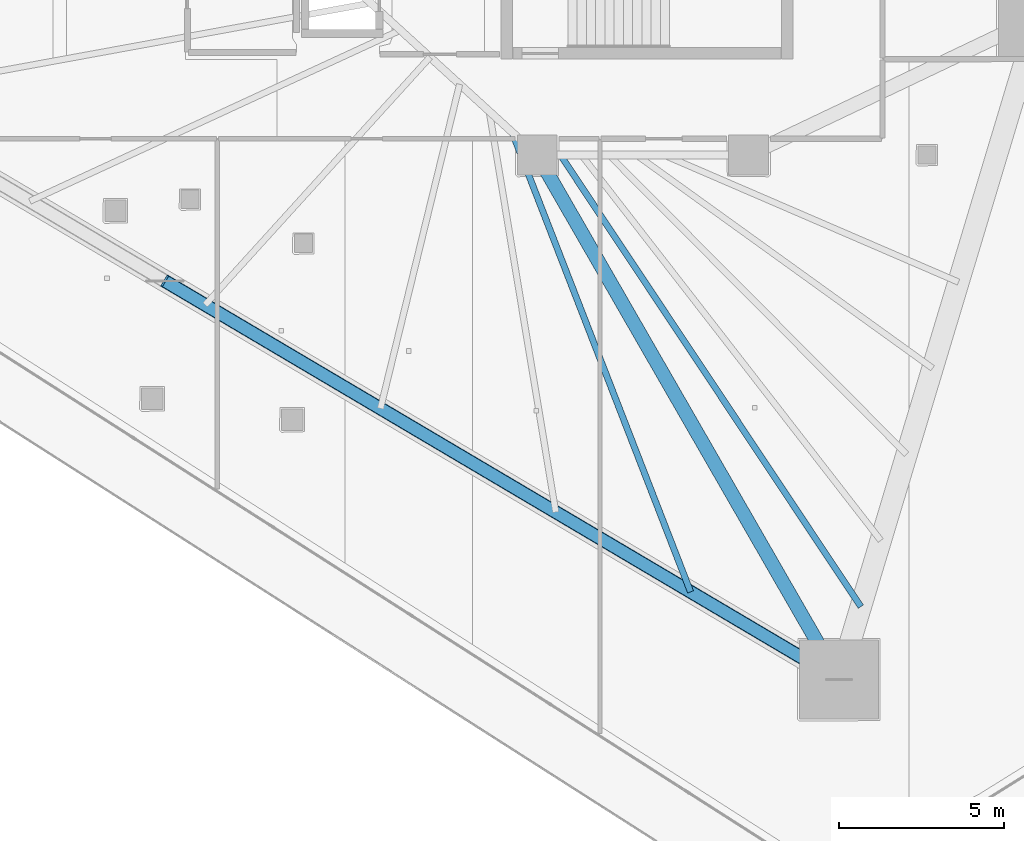
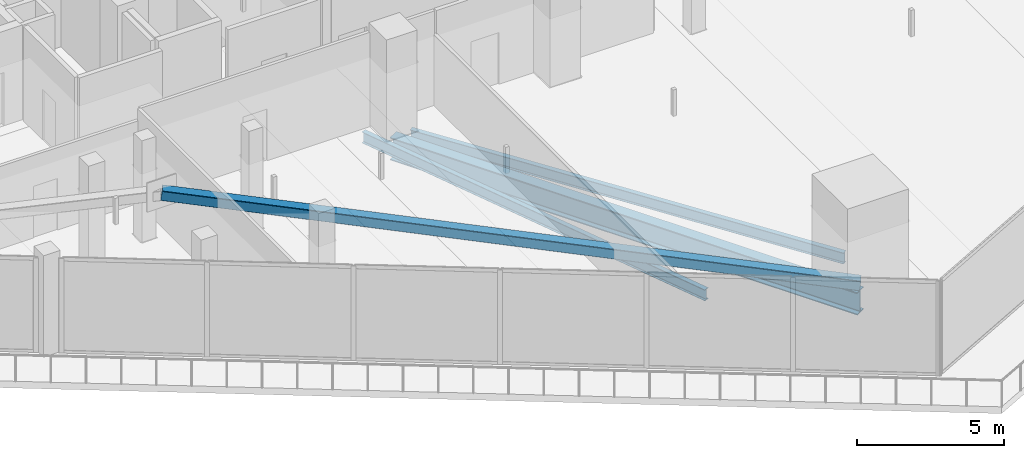
# One storey, part 9 of 45: 3 beams, 1 member.
"""IFC4 building model written with IfcOpenShell, lengths in metres."""

import ifcopenshell
import ifcopenshell.guid

model = None  # the IFC model being written
_history = None  # IfcOwnerHistory: only IFC2X3 demands one
_inside = {}  # id of a spatial element -> (the spatial element, [elements in it])
_under = {}  # id of a project, library or spatial element -> (it, [spatial elements below it])
_declared = {}  # id of a project -> (the project, [libraries it declares])
_typed = {}  # id of a type object -> (the type object, [elements of that type])
_made_of = {}  # id of a material, layer set ... -> (it, [elements and type objects made of it])


def new_model(schema):
    """Start an empty IFC model of exactly this schema.

    Asked for "IFC4X3", IfcOpenShell would pick the latest addendum, in which some entities
    have other attributes; the version numbers below select the first issue.
    IFC2X3 requires an IfcOwnerHistory on every rooted entity: one is made here for all.
    """
    global model, _history
    if schema == "IFC4X3":
        model = ifcopenshell.file(schema_version=(4, 3, 0, 0))
    else:
        model = ifcopenshell.file(schema=schema)
    _inside.clear()
    _under.clear()
    _declared.clear()
    _typed.clear()
    _made_of.clear()
    _history = None
    if model.schema == "IFC2X3":
        org = make("IfcOrganization", Name="unknown")
        user = make(
            "IfcPersonAndOrganization",
            ThePerson=make("IfcPerson", FamilyName="unknown"),
            TheOrganization=org,
        )
        app = make(
            "IfcApplication",
            ApplicationDeveloper=org,
            Version="unknown",
            ApplicationFullName="unknown",
            ApplicationIdentifier="unknown",
        )
        _history = make(
            "IfcOwnerHistory",
            OwningUser=user,
            OwningApplication=app,
            ChangeAction="ADDED",
            CreationDate=0,
        )
    return model


def make(cls, **values):
    """One entity of the class cls with the attributes given. An attribute that is None is left unset."""
    return model.create_entity(
        cls, **{name: value for name, value in values.items() if value is not None}
    )


def rooted(cls, **values):
    """An entity with a GlobalId (a new one), such as an element, a storey or a relation."""
    return make(cls, GlobalId=ifcopenshell.guid.new(), OwnerHistory=_history, **values)


def si_unit(unit_type, name, prefix=None):
    """IfcSIUnit, for example si_unit("LENGTHUNIT", "METRE", prefix="MILLI")."""
    return make("IfcSIUnit", UnitType=unit_type, Prefix=prefix, Name=name)


def assignment(units):
    """IfcUnitAssignment: the units of a project."""
    return None if units is None else make("IfcUnitAssignment", Units=units)


def point(xyz):
    """IfcCartesianPoint."""
    return None if xyz is None else make("IfcCartesianPoint", Coordinates=xyz)


def direction(xyz):
    """IfcDirection."""
    return None if xyz is None else make("IfcDirection", DirectionRatios=xyz)


def frame(location, z_axis=None, x_axis=None):
    """IfcAxis2Placement3D, a coordinate frame: its origin and axes. An axis left out is left unset."""
    return make(
        "IfcAxis2Placement3D",
        Location=point(location),
        Axis=direction(z_axis),
        RefDirection=direction(x_axis),
    )


def frame_2d(location, x_axis=None):
    """IfcAxis2Placement2D, a coordinate frame in the plane: its origin and x axis."""
    return make(
        "IfcAxis2Placement2D", Location=point(location), RefDirection=direction(x_axis)
    )


def origin():
    """The frame at (0, 0, 0) with its axes left unset."""
    return frame((0.0, 0.0, 0.0))


def origin_2d():
    """The frame at (0, 0) in the plane with its x axis left unset."""
    return frame_2d((0.0, 0.0))


def place(relative_to, where):
    """IfcLocalPlacement: puts the frame where relative to a parent placement (None: the world)."""
    return make(
        "IfcLocalPlacement", PlacementRelTo=relative_to, RelativePlacement=where
    )


def context(
    kind, dimensions, precision=None, world=None, true_north=None, identifier=None
):
    """IfcGeometricRepresentationContext, for example the 3D "Model" context."""
    return make(
        "IfcGeometricRepresentationContext",
        ContextIdentifier=identifier,
        ContextType=kind,
        CoordinateSpaceDimension=dimensions,
        Precision=precision,
        WorldCoordinateSystem=world,
        TrueNorth=true_north,
    )


def subcontext(parent, identifier, kind, view, scale=None):
    """IfcGeometricRepresentationSubContext, for example "Body" below "Model"."""
    return make(
        "IfcGeometricRepresentationSubContext",
        ContextIdentifier=identifier,
        ContextType=kind,
        ParentContext=parent,
        TargetScale=scale,
        TargetView=view,
    )


def project(units=None, contexts=None):
    """IfcProject with its units and contexts."""
    return rooted(
        "IfcProject",
        Name="project",
        RepresentationContexts=contexts,
        UnitsInContext=assignment(units),
    )


def spatial(cls, under=None, at=None, **own):
    """A site, building, storey or space (cls), placed at a placement, below another one or the project."""
    s = rooted(cls, ObjectPlacement=at, **own)
    if under is not None:
        _under.setdefault(under.id(), (under, []))[1].append(s)
    return s


def profile(cls, at=None, kind="AREA", **sizes):
    """A parametric profile (cls). Its sizes go by their IFC names, for example OverallWidth=200.0."""
    return make(cls, ProfileType=kind, Position=at, **sizes)


def hollow_rectangle(**sizes):
    """IfcRectangleHollowProfileDef."""
    return profile("IfcRectangleHollowProfileDef", **sizes)


def i_section(**sizes):
    """IfcIShapeProfileDef."""
    return profile("IfcIShapeProfileDef", **sizes)


def extrude(swept, where, along, depth):
    """IfcExtrudedAreaSolid: the profile swept, set in the frame where, extruded along a direction by depth."""
    return make(
        "IfcExtrudedAreaSolid",
        SweptArea=swept,
        Position=where,
        ExtrudedDirection=direction(along),
        Depth=depth,
    )


def shape(context_of_items, identifier, shape_type, items):
    """IfcShapeRepresentation: the items that make up one representation, for example the "Body"."""
    return make(
        "IfcShapeRepresentation",
        ContextOfItems=context_of_items,
        RepresentationIdentifier=identifier,
        RepresentationType=shape_type,
        Items=items,
    )


def material(Name=None, Category=None):
    """IfcMaterial."""
    return make("IfcMaterial", Name=Name, Category=Category)


def material_profile(
    of_material, cross_section, Name=None, Category=None, Priority=None
):
    """IfcMaterialProfile: a cross section and its material."""
    return make(
        "IfcMaterialProfile",
        Name=Name,
        Material=of_material,
        Profile=cross_section,
        Priority=Priority,
        Category=Category,
    )


def profile_set(profiles, Name=None, composite=None):
    """IfcMaterialProfileSet."""
    return make(
        "IfcMaterialProfileSet",
        Name=Name,
        MaterialProfiles=profiles,
        CompositeProfile=composite,
    )


def made_of(thing, what):
    """Note that an element or type object is made of a material, layer set ...; save() writes the relation."""
    if what is not None:
        _made_of.setdefault(what.id(), (what, []))[1].append(thing)
    return thing


def type_object(cls, material=None, **own):
    """A type object (cls), such as IfcWallType, which elements share."""
    return made_of(rooted(cls, **own), material)


def element(
    cls,
    number,
    at=None,
    inside=None,
    cuts=None,
    type_object=None,
    material=None,
    context=None,
    identifier="Body",
    shape_type=None,
    held_by="IfcProductDefinitionShape",
    body=None,
    shapes=None,
    **own,
):
    """One element of the class cls, such as IfcWall. Its Tag is "e" and its number.

    at: its placement. inside: the storey or other place that contains it. cuts: it is an
    opening in that element (IfcRelVoidsElement). A single representation is given by context,
    identifier, shape_type and body (its items); several are given by shapes. held_by: the class
    of the entity that holds the representations. save() writes the other relations.
    """
    e = rooted(cls, Tag="e%d" % number, ObjectPlacement=at, **own)
    if body is not None:
        shapes = [shape(context, identifier, shape_type, body)]
    if shapes is not None:
        e.Representation = make(held_by, Representations=shapes)
    if inside is not None:
        _inside.setdefault(inside.id(), (inside, []))[1].append(e)
    if cuts is not None:
        rooted(
            "IfcRelVoidsElement", RelatingBuildingElement=cuts, RelatedOpeningElement=e
        )
    if type_object is not None:
        _typed.setdefault(type_object.id(), (type_object, []))[1].append(e)
    return made_of(e, material)


def aggregate(whole, parts):
    """IfcRelAggregates: a whole, such as a stair, and the parts it consists of."""
    return rooted("IfcRelAggregates", RelatingObject=whole, RelatedObjects=parts)


def save(model, path):
    """Write the relations noted so far, then the file.

    IfcRelAggregates (storeys below a building ...), IfcRelContainedInSpatialStructure (elements
    in a storey), IfcRelDefinesByType, IfcRelAssociatesMaterial and IfcRelDeclares: one each for
    every whole, place, type object, material and project.
    """
    for whole, parts in _under.values():
        aggregate(whole, parts)
    for where, things in _inside.values():
        rooted(
            "IfcRelContainedInSpatialStructure",
            RelatedElements=things,
            RelatingStructure=where,
        )
    for kind, things in _typed.values():
        rooted("IfcRelDefinesByType", RelatedObjects=things, RelatingType=kind)
    for what, things in _made_of.values():
        rooted("IfcRelAssociatesMaterial", RelatedObjects=things, RelatingMaterial=what)
    for by, libraries in _declared.values():
        rooted("IfcRelDeclares", RelatingContext=by, RelatedDefinitions=libraries)
    model.write(path)


model = new_model("IFC4")

# Units and contexts
model_context = context("Model", 3, precision=1e-05, world=origin(), true_north=direction((0.0, 1.0)))
body_context = subcontext(model_context, "Body", "Model", "MODEL_VIEW")
ifc_project = project(units=[si_unit("LENGTHUNIT", "METRE"), si_unit("AREAUNIT", "SQUARE_METRE"), si_unit("VOLUMEUNIT", "CUBIC_METRE"), si_unit("PLANEANGLEUNIT", "RADIAN"), si_unit("MASSUNIT", "GRAM", prefix="KILO")], contexts=[model_context])

# Site, building, storey
site_placement = place(None, origin())
site = spatial("IfcSite", under=ifc_project, at=site_placement, CompositionType="ELEMENT")
building_placement = place(site_placement, origin())
building = spatial("IfcBuilding", under=site, at=building_placement, Name="Qorvath Tower", CompositionType="ELEMENT")
storey_placement = place(building_placement, frame((0.0, 0.0, 49.199951171875)))
storey = spatial("IfcBuildingStorey", under=building, at=storey_placement, Name="L10", CompositionType="ELEMENT", Elevation=49.199951171875)

# Beams
ifc_material_1 = material(Name="Steel ASTM A992 Grade 50", Category="steel")
ifc_material_profile_1 = material_profile(ifc_material_1, i_section(OverallWidth=0.422119140625, OverallDepth=0.93310546875, WebThickness=0.021240234375, FlangeThickness=0.039794921875, FilletRadius=0.02392578125, at=origin_2d()), Name="W36x262")
ifc_profile_set_1 = profile_set([ifc_material_profile_1], Name="Steel ASTM A992 Grade 50")
beam_type_1 = type_object("IfcBeamType", Name="BM-FG1", PredefinedType="BEAM", material=ifc_profile_set_1)
beam_1_placement = place(storey_placement, frame((-23.60009765625, -11.449951171875, -0.74658203125), z_axis=(0.498645367714, -0.866806089767, 0.0), x_axis=(0.866806089767, 0.498645367714, 0.0)))
element("IfcBeam", 1, at=beam_1_placement, inside=storey, type_object=beam_type_1, Name="Radial Floor Girder CC4-MC3 L10", PredefinedType="BEAM", context=body_context, shape_type="SweptSolid", body=[
    extrude(i_section(OverallWidth=0.422119140625, OverallDepth=0.93310546875, WebThickness=0.021240234375, FlangeThickness=0.039794921875, FilletRadius=0.02392578125, at=origin_2d()), origin(), (0.0, 0.0, 1.0), 18.321044921875),
])
ifc_material_2 = material(Name="Steel ASTM A992 Grade 50", Category="steel")
ifc_material_profile_2 = material_profile(ifc_material_2, i_section(OverallWidth=0.18994140625, OverallDepth=0.45703125, WebThickness=0.009033203125, FlangeThickness=0.014404296875, FilletRadius=0.011962890625, at=origin_2d()), Name="W18x50")
ifc_profile_set_2 = profile_set([ifc_material_profile_2], Name="Steel ASTM A992 Grade 50")
beam_type_2 = type_object("IfcBeamType", Name="BM-FJ2", PredefinedType="JOIST", material=ifc_profile_set_2)
beam_2_placement = place(storey_placement, frame((-22.89599609375, -11.449951171875, -0.508544921875), z_axis=(0.553811384989, -0.83264214994, 0.0), x_axis=(0.83264214994, 0.553811384989, 0.0)))
element("IfcBeam", 2, at=beam_2_placement, inside=storey, type_object=beam_type_2, Name="Composite Floor Joist SE7 L10", PredefinedType="JOIST", context=body_context, shape_type="SweptSolid", body=[
    extrude(i_section(OverallWidth=0.18994140625, OverallDepth=0.45703125, WebThickness=0.009033203125, FlangeThickness=0.014404296875, FilletRadius=0.011962890625, at=origin_2d()), origin(), (0.0, 0.0, 1.0), 16.42333984375),
])
beam_3_placement = place(storey_placement, frame((-24.35888671875, -10.757080078125, -0.508544921875), z_axis=(0.361964096586, -0.93219203643, 0.0), x_axis=(0.93219203643, 0.361964096586, 0.0)))
element("IfcBeam", 3, at=beam_3_placement, inside=storey, type_object=beam_type_2, Name="Composite Floor Joist SW7 L10", PredefinedType="JOIST", context=body_context, shape_type="SweptSolid", body=[
    extrude(i_section(OverallWidth=0.18994140625, OverallDepth=0.45703125, WebThickness=0.009033203125, FlangeThickness=0.014404296875, FilletRadius=0.011962890625, at=origin_2d()), origin(), (0.0, 0.0, 1.0), 14.93115234375),
])

# Member
ifc_material_3 = material(Name="Steel ASTM A500 Grade C", Category="steel")
ifc_material_profile_3 = material_profile(ifc_material_3, hollow_rectangle(XDim=0.406494140625, YDim=0.406494140625, WallThickness=0.015869140625, InnerFilletRadius=0.015869140625, OuterFilletRadius=0.03173828125, at=origin_2d()), Name="HSS 406x406x16")
ifc_profile_set_3 = profile_set([ifc_material_profile_3], Name="Steel ASTM A500 Grade C")
member_type = type_object("IfcMemberType", Name="MEM-MB1", PredefinedType="BRACE", material=ifc_profile_set_3)
member_placement = place(storey_placement, frame((-14.46435546875, -27.330810546875, 0.0), z_axis=(-0.85118408601, 0.503306106147, 0.148891286646), x_axis=(-0.508979409022, -0.860778694666, 0.0)))
element("IfcMember", 4, at=member_placement, inside=storey, type_object=member_type, Name="Perimeter Chevron Brace L10-2B", PredefinedType="BRACE", context=body_context, shape_type="SweptSolid", body=[
    extrude(hollow_rectangle(XDim=0.406494140625, YDim=0.406494140625, WallThickness=0.015869140625, InnerFilletRadius=0.015869140625, OuterFilletRadius=0.03173828125, at=origin_2d()), origin(), (0.0, 0.0, 1.0), 23.977783203125),
])

save(model, "model.ifc")
